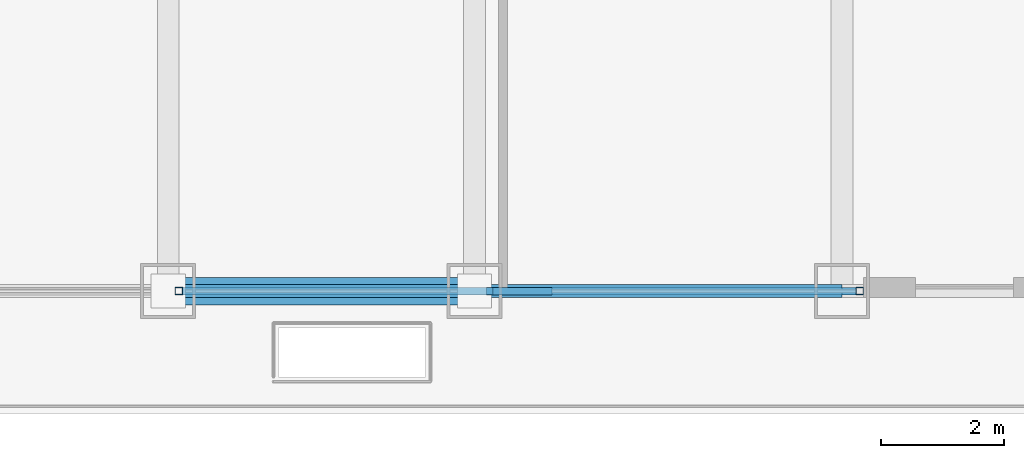
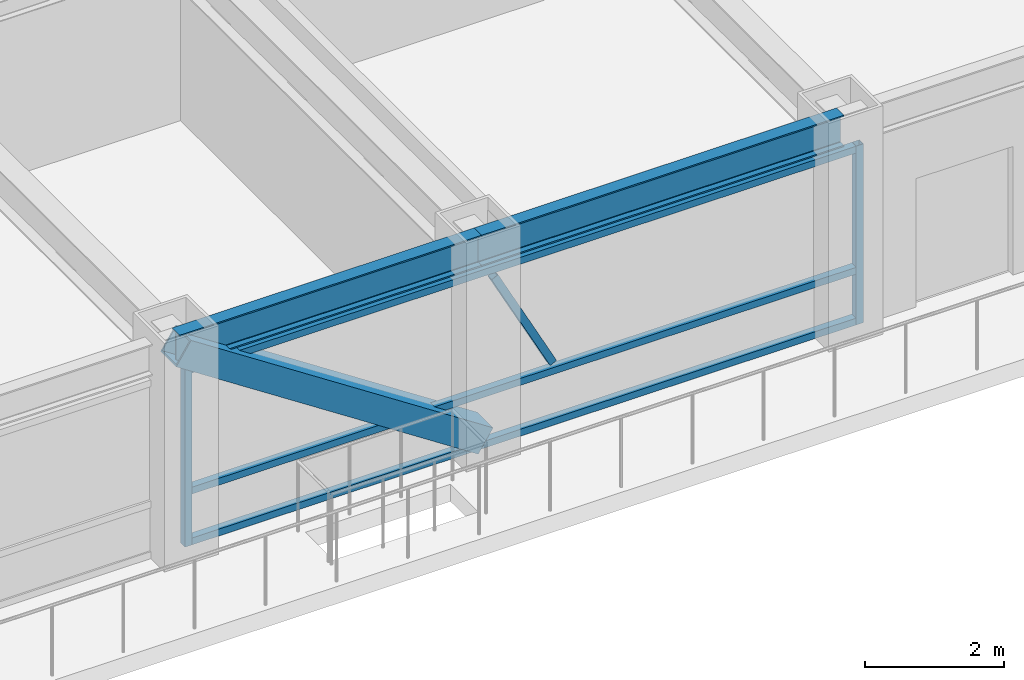
# One storey, part 4 of 32: 7 members, 2 beams, 1 element without a shape of its own.
"""IFC4 building model written with IfcOpenShell, lengths in metres."""

import ifcopenshell
import ifcopenshell.guid

model = None  # the IFC model being written
_history = None  # IfcOwnerHistory: only IFC2X3 demands one
_inside = {}  # id of a spatial element -> (the spatial element, [elements in it])
_under = {}  # id of a project, library or spatial element -> (it, [spatial elements below it])
_declared = {}  # id of a project -> (the project, [libraries it declares])
_typed = {}  # id of a type object -> (the type object, [elements of that type])
_made_of = {}  # id of a material, layer set ... -> (it, [elements and type objects made of it])


def new_model(schema):
    """Start an empty IFC model of exactly this schema.

    Asked for "IFC4X3", IfcOpenShell would pick the latest addendum, in which some entities
    have other attributes; the version numbers below select the first issue.
    IFC2X3 requires an IfcOwnerHistory on every rooted entity: one is made here for all.
    """
    global model, _history
    if schema == "IFC4X3":
        model = ifcopenshell.file(schema_version=(4, 3, 0, 0))
    else:
        model = ifcopenshell.file(schema=schema)
    _inside.clear()
    _under.clear()
    _declared.clear()
    _typed.clear()
    _made_of.clear()
    _history = None
    if model.schema == "IFC2X3":
        org = make("IfcOrganization", Name="unknown")
        user = make(
            "IfcPersonAndOrganization",
            ThePerson=make("IfcPerson", FamilyName="unknown"),
            TheOrganization=org,
        )
        app = make(
            "IfcApplication",
            ApplicationDeveloper=org,
            Version="unknown",
            ApplicationFullName="unknown",
            ApplicationIdentifier="unknown",
        )
        _history = make(
            "IfcOwnerHistory",
            OwningUser=user,
            OwningApplication=app,
            ChangeAction="ADDED",
            CreationDate=0,
        )
    return model


def make(cls, **values):
    """One entity of the class cls with the attributes given. An attribute that is None is left unset."""
    return model.create_entity(
        cls, **{name: value for name, value in values.items() if value is not None}
    )


def rooted(cls, **values):
    """An entity with a GlobalId (a new one), such as an element, a storey or a relation."""
    return make(cls, GlobalId=ifcopenshell.guid.new(), OwnerHistory=_history, **values)


def si_unit(unit_type, name, prefix=None):
    """IfcSIUnit, for example si_unit("LENGTHUNIT", "METRE", prefix="MILLI")."""
    return make("IfcSIUnit", UnitType=unit_type, Prefix=prefix, Name=name)


def assignment(units):
    """IfcUnitAssignment: the units of a project."""
    return None if units is None else make("IfcUnitAssignment", Units=units)


def point(xyz):
    """IfcCartesianPoint."""
    return None if xyz is None else make("IfcCartesianPoint", Coordinates=xyz)


def direction(xyz):
    """IfcDirection."""
    return None if xyz is None else make("IfcDirection", DirectionRatios=xyz)


def frame(location, z_axis=None, x_axis=None):
    """IfcAxis2Placement3D, a coordinate frame: its origin and axes. An axis left out is left unset."""
    return make(
        "IfcAxis2Placement3D",
        Location=point(location),
        Axis=direction(z_axis),
        RefDirection=direction(x_axis),
    )


def frame_2d(location, x_axis=None):
    """IfcAxis2Placement2D, a coordinate frame in the plane: its origin and x axis."""
    return make(
        "IfcAxis2Placement2D", Location=point(location), RefDirection=direction(x_axis)
    )


def origin():
    """The frame at (0, 0, 0) with its axes left unset."""
    return frame((0.0, 0.0, 0.0))


def origin_2d():
    """The frame at (0, 0) in the plane with its x axis left unset."""
    return frame_2d((0.0, 0.0))


def place(relative_to, where):
    """IfcLocalPlacement: puts the frame where relative to a parent placement (None: the world)."""
    return make(
        "IfcLocalPlacement", PlacementRelTo=relative_to, RelativePlacement=where
    )


def context(
    kind, dimensions, precision=None, world=None, true_north=None, identifier=None
):
    """IfcGeometricRepresentationContext, for example the 3D "Model" context."""
    return make(
        "IfcGeometricRepresentationContext",
        ContextIdentifier=identifier,
        ContextType=kind,
        CoordinateSpaceDimension=dimensions,
        Precision=precision,
        WorldCoordinateSystem=world,
        TrueNorth=true_north,
    )


def subcontext(parent, identifier, kind, view, scale=None):
    """IfcGeometricRepresentationSubContext, for example "Body" below "Model"."""
    return make(
        "IfcGeometricRepresentationSubContext",
        ContextIdentifier=identifier,
        ContextType=kind,
        ParentContext=parent,
        TargetScale=scale,
        TargetView=view,
    )


def project(units=None, contexts=None):
    """IfcProject with its units and contexts."""
    return rooted(
        "IfcProject",
        Name="project",
        RepresentationContexts=contexts,
        UnitsInContext=assignment(units),
    )


def spatial(cls, under=None, at=None, **own):
    """A site, building, storey or space (cls), placed at a placement, below another one or the project."""
    s = rooted(cls, ObjectPlacement=at, **own)
    if under is not None:
        _under.setdefault(under.id(), (under, []))[1].append(s)
    return s


def profile(cls, at=None, kind="AREA", **sizes):
    """A parametric profile (cls). Its sizes go by their IFC names, for example OverallWidth=200.0."""
    return make(cls, ProfileType=kind, Position=at, **sizes)


def hollow_rectangle(**sizes):
    """IfcRectangleHollowProfileDef."""
    return profile("IfcRectangleHollowProfileDef", **sizes)


def i_section(**sizes):
    """IfcIShapeProfileDef."""
    return profile("IfcIShapeProfileDef", **sizes)


def extrude(swept, where, along, depth):
    """IfcExtrudedAreaSolid: the profile swept, set in the frame where, extruded along a direction by depth."""
    return make(
        "IfcExtrudedAreaSolid",
        SweptArea=swept,
        Position=where,
        ExtrudedDirection=direction(along),
        Depth=depth,
    )


def shape(context_of_items, identifier, shape_type, items):
    """IfcShapeRepresentation: the items that make up one representation, for example the "Body"."""
    return make(
        "IfcShapeRepresentation",
        ContextOfItems=context_of_items,
        RepresentationIdentifier=identifier,
        RepresentationType=shape_type,
        Items=items,
    )


def source(mapping_origin, context_of_items, identifier, shape_type, items):
    """IfcRepresentationMap: a shape defined once, which mapped items show again and again."""
    return make(
        "IfcRepresentationMap",
        MappingOrigin=mapping_origin,
        MappedRepresentation=shape(context_of_items, identifier, shape_type, items),
    )


def transform(
    local_origin,
    x_axis=None,
    y_axis=None,
    z_axis=None,
    scale=None,
    scale2=None,
    scale3=None,
    uniform=True,
):
    """IfcCartesianTransformationOperator3D, or its non-uniform kind. x_axis, y_axis, z_axis: its Axis1, 2, 3."""
    if uniform:
        return make(
            "IfcCartesianTransformationOperator3D",
            Axis1=direction(x_axis),
            Axis2=direction(y_axis),
            LocalOrigin=point(local_origin),
            Scale=scale,
            Axis3=direction(z_axis),
        )
    return make(
        "IfcCartesianTransformationOperator3DnonUniform",
        Axis1=direction(x_axis),
        Axis2=direction(y_axis),
        LocalOrigin=point(local_origin),
        Scale=scale,
        Axis3=direction(z_axis),
        Scale2=scale2,
        Scale3=scale3,
    )


def mapped(mapping_source, mapping_target):
    """IfcMappedItem: shows the shape of a source again, moved by a transform."""
    return make(
        "IfcMappedItem", MappingSource=mapping_source, MappingTarget=mapping_target
    )


def material(Name=None, Category=None):
    """IfcMaterial."""
    return make("IfcMaterial", Name=Name, Category=Category)


def material_profile(
    of_material, cross_section, Name=None, Category=None, Priority=None
):
    """IfcMaterialProfile: a cross section and its material."""
    return make(
        "IfcMaterialProfile",
        Name=Name,
        Material=of_material,
        Profile=cross_section,
        Priority=Priority,
        Category=Category,
    )


def profile_set(profiles, Name=None, composite=None):
    """IfcMaterialProfileSet."""
    return make(
        "IfcMaterialProfileSet",
        Name=Name,
        MaterialProfiles=profiles,
        CompositeProfile=composite,
    )


def made_of(thing, what):
    """Note that an element or type object is made of a material, layer set ...; save() writes the relation."""
    if what is not None:
        _made_of.setdefault(what.id(), (what, []))[1].append(thing)
    return thing


def type_object(cls, material=None, **own):
    """A type object (cls), such as IfcWallType, which elements share."""
    return made_of(rooted(cls, **own), material)


def element(
    cls,
    number,
    at=None,
    inside=None,
    cuts=None,
    type_object=None,
    material=None,
    context=None,
    identifier="Body",
    shape_type=None,
    held_by="IfcProductDefinitionShape",
    body=None,
    shapes=None,
    **own,
):
    """One element of the class cls, such as IfcWall. Its Tag is "e" and its number.

    at: its placement. inside: the storey or other place that contains it. cuts: it is an
    opening in that element (IfcRelVoidsElement). A single representation is given by context,
    identifier, shape_type and body (its items); several are given by shapes. held_by: the class
    of the entity that holds the representations. save() writes the other relations.
    """
    e = rooted(cls, Tag="e%d" % number, ObjectPlacement=at, **own)
    if body is not None:
        shapes = [shape(context, identifier, shape_type, body)]
    if shapes is not None:
        e.Representation = make(held_by, Representations=shapes)
    if inside is not None:
        _inside.setdefault(inside.id(), (inside, []))[1].append(e)
    if cuts is not None:
        rooted(
            "IfcRelVoidsElement", RelatingBuildingElement=cuts, RelatedOpeningElement=e
        )
    if type_object is not None:
        _typed.setdefault(type_object.id(), (type_object, []))[1].append(e)
    return made_of(e, material)


def aggregate(whole, parts):
    """IfcRelAggregates: a whole, such as a stair, and the parts it consists of."""
    return rooted("IfcRelAggregates", RelatingObject=whole, RelatedObjects=parts)


def save(model, path):
    """Write the relations noted so far, then the file.

    IfcRelAggregates (storeys below a building ...), IfcRelContainedInSpatialStructure (elements
    in a storey), IfcRelDefinesByType, IfcRelAssociatesMaterial and IfcRelDeclares: one each for
    every whole, place, type object, material and project.
    """
    for whole, parts in _under.values():
        aggregate(whole, parts)
    for where, things in _inside.values():
        rooted(
            "IfcRelContainedInSpatialStructure",
            RelatedElements=things,
            RelatingStructure=where,
        )
    for kind, things in _typed.values():
        rooted("IfcRelDefinesByType", RelatedObjects=things, RelatingType=kind)
    for what, things in _made_of.values():
        rooted("IfcRelAssociatesMaterial", RelatedObjects=things, RelatingMaterial=what)
    for by, libraries in _declared.values():
        rooted("IfcRelDeclares", RelatingContext=by, RelatedDefinitions=libraries)
    model.write(path)


model = new_model("IFC4")

# Units and contexts
model_context = context("Model", 3, precision=1e-05, world=origin(), true_north=direction((0.0, 1.0)))
body_context = subcontext(model_context, "Body", "Model", "MODEL_VIEW")
ifc_project = project(units=[si_unit("LENGTHUNIT", "METRE"), si_unit("AREAUNIT", "SQUARE_METRE"), si_unit("VOLUMEUNIT", "CUBIC_METRE"), si_unit("PLANEANGLEUNIT", "RADIAN"), si_unit("MASSUNIT", "GRAM", prefix="KILO")], contexts=[model_context])

# Site, building, storey
site_placement = place(None, origin())
site = spatial("IfcSite", under=ifc_project, at=site_placement, CompositionType="ELEMENT")
building_placement = place(site_placement, origin())
building = spatial("IfcBuilding", under=site, at=building_placement, Name="Khorayat Bourse Tower", CompositionType="ELEMENT")
storey_placement = place(building_placement, frame((0.0, 0.0, 273.5)))
storey = spatial("IfcBuildingStorey", under=building, at=storey_placement, Name="L64", CompositionType="ELEMENT", Elevation=273.5)

# Member
ifc_material_1 = material(Name="Steel EN 10025-4 S460M", Category="steel")
ifc_material_profile_1 = material_profile(ifc_material_1, hollow_rectangle(XDim=0.449951171875, YDim=0.449951171875, WallThickness=0.02490234375, at=origin_2d()), Name="HSS 450x450x25")
ifc_profile_set_1 = profile_set([ifc_material_profile_1], Name="Steel EN 10025-4 S460M")
member_type_1 = type_object("IfcMemberType", Name="MBR-TUBE-450", PredefinedType="BRACE", material=ifc_profile_set_1)
shared_shape_1 = source(origin(), body_context, "Body", "SweptSolid", [
    extrude(hollow_rectangle(XDim=0.449951171875, YDim=0.449951171875, WallThickness=0.02490234375, at=origin_2d()), origin(), (0.0, 0.0, 1.0), 5.979736328125),
])
member_1_placement = place(storey_placement, frame((-11.0, -28.0, 3.530029296875), z_axis=(0.836141536525, 0.0, -0.548513747227), x_axis=(0.0, 1.0, 0.0)))
element("IfcMember", 1, at=member_1_placement, inside=storey, type_object=member_type_1, Name="L64 Perimeter Tube Brace 01", PredefinedType="BRACE", context=body_context, shape_type="MappedRepresentation", body=[
    mapped(shared_shape_1, transform((0.0, 0.0, 0.0), scale=1.0)),
])

# Beams
ifc_material_2 = material(Name="Steel ASTM A992 Grade 50", Category="steel")
ifc_material_profile_2 = material_profile(ifc_material_2, i_section(OverallWidth=0.214111328125, OverallDepth=0.549072265625, WebThickness=0.0146484375, FlangeThickness=0.023681640625, FilletRadius=0.013916015625, at=origin_2d()), Name="W530X138")
ifc_profile_set_2 = profile_set([ifc_material_profile_2], Name="Steel ASTM A992 Grade 50")
beam_type = type_object("IfcBeamType", Name="BM-SPAN-530", PredefinedType="SPANDREL", material=ifc_profile_set_2)
shared_shape_2 = source(origin(), body_context, "Body", "SweptSolid", [
    extrude(i_section(OverallWidth=0.214111328125, OverallDepth=0.549072265625, WebThickness=0.0146484375, FlangeThickness=0.023681640625, FilletRadius=0.013916015625, at=origin_2d()), origin(), (0.0, 0.0, 1.0), 5.0),
])
beam_1_placement = place(storey_placement, frame((-11.0, -28.0, 3.505615234375), z_axis=(1.0, 0.0, 0.0), x_axis=(0.0, 1.0, 0.0)))
element("IfcBeam", 2, at=beam_1_placement, inside=storey, type_object=beam_type, Name="L64 BM-SPAN-530 BM-L64-SPN-026", PredefinedType="SPANDREL", context=body_context, shape_type="MappedRepresentation", body=[
    mapped(shared_shape_2, transform((0.0, 0.0, 0.0), scale=1.0)),
])
shared_shape_3 = source(origin(), body_context, "Body", "SweptSolid", [
    extrude(i_section(OverallWidth=0.214111328125, OverallDepth=0.549072265625, WebThickness=0.0146484375, FlangeThickness=0.023681640625, FilletRadius=0.013916015625, at=origin_2d()), origin(), (0.0, 0.0, 1.0), 6.0),
])
beam_2_placement = place(storey_placement, frame((-6.0, -28.0, 3.505615234375), z_axis=(1.0, 0.0, 0.0), x_axis=(0.0, 1.0, 0.0)))
element("IfcBeam", 3, at=beam_2_placement, inside=storey, type_object=beam_type, Name="L64 BM-SPAN-530 BM-L64-SPN-027", PredefinedType="SPANDREL", context=body_context, shape_type="MappedRepresentation", body=[
    mapped(shared_shape_3, transform((0.0, 0.0, 0.0), scale=1.0)),
])

# Curtain wall, members
ifc_material_3 = material(Name="Aluminium EN AW-6063 T6", Category="aluminium")
curtain_wall_type = type_object("IfcCurtainWallType", Name="CW-SYS-04", PredefinedType="NOTDEFINED", material=ifc_material_3)
curtain_wall_placement = place(storey_placement, origin())
curtain_wall = element("IfcCurtainWall", 4, at=curtain_wall_placement, inside=storey, type_object=curtain_wall_type, Name="L64 Curtain Wall CW-L64-S1", PredefinedType="NOTDEFINED")
ifc_material_profile_3 = material_profile(ifc_material_3, hollow_rectangle(XDim=0.1201171875, YDim=0.1201171875, WallThickness=0.0048828125, at=origin_2d()), Name="ALU 120x120x5")
ifc_profile_set_3 = profile_set([ifc_material_profile_3], Name="Aluminium EN AW-6063 T6")
member_type_2 = type_object("IfcMemberType", Name="CWM-VERT-120", PredefinedType="MULLION", material=ifc_profile_set_3)
shared_shape_4 = source(origin(), body_context, "Body", "SweptSolid", [
    extrude(hollow_rectangle(XDim=0.1201171875, YDim=0.1201171875, WallThickness=0.0048828125, at=origin_2d()), origin(), (0.0, 0.0, 1.0), 3.1298828125),
])
member_2_placement = place(storey_placement, frame((-10.824951171875, -28.0, 0.0), z_axis=(0.0, 0.0, 1.0), x_axis=(0.0, 1.0, 0.0)))
member_2 = element("IfcMember", 5, at=member_2_placement, type_object=member_type_2, Name="CW-L64-S1 Vertical Mullion 2", PredefinedType="MULLION", context=body_context, shape_type="MappedRepresentation", body=[
    mapped(shared_shape_4, transform((0.0, 0.0, 0.0), scale=1.0)),
])
member_3_placement = place(storey_placement, frame((0.2900390625, -28.0, 0.0), z_axis=(0.0, 0.0, 1.0), x_axis=(0.0, 1.0, 0.0)))
member_3 = element("IfcMember", 6, at=member_3_placement, type_object=member_type_2, Name="CW-L64-S1 Vertical Mullion 3", PredefinedType="MULLION", context=body_context, shape_type="MappedRepresentation", body=[
    mapped(shared_shape_4, transform((0.0, 0.0, 0.0), scale=1.0)),
])
ifc_material_profile_4 = material_profile(ifc_material_3, hollow_rectangle(XDim=0.1201171875, YDim=0.1201171875, WallThickness=0.0048828125, at=origin_2d()), Name="ALU 120x120x5")
ifc_profile_set_4 = profile_set([ifc_material_profile_4], Name="Aluminium EN AW-6063 T6")
member_type_3 = type_object("IfcMemberType", Name="CWT-HORZ-120", PredefinedType="USERDEFINED", material=ifc_profile_set_4)
shared_shape_5 = source(origin(), body_context, "Body", "SweptSolid", [
    extrude(hollow_rectangle(XDim=0.1201171875, YDim=0.1201171875, WallThickness=0.0048828125, at=origin_2d()), origin(), (0.0, 0.0, 1.0), 10.994873046875),
])
member_4_placement = place(storey_placement, frame((-10.764892578125, -28.0, 0.06005859375), z_axis=(1.0, 0.0, 0.0), x_axis=(0.0, 1.0, 0.0)))
member_4 = element("IfcMember", 7, at=member_4_placement, type_object=member_type_3, Name="CW-L64-S1 Horizontal Transom 2-1", ObjectType="TRANSOM", PredefinedType="USERDEFINED", context=body_context, shape_type="MappedRepresentation", body=[
    mapped(shared_shape_5, transform((0.0, 0.0, 0.0), scale=1.0)),
])
member_5_placement = place(storey_placement, frame((-10.764892578125, -28.0, 0.949951171875), z_axis=(1.0, 0.0, 0.0), x_axis=(0.0, 1.0, 0.0)))
member_5 = element("IfcMember", 8, at=member_5_placement, type_object=member_type_3, Name="CW-L64-S1 Horizontal Transom 2-2", ObjectType="TRANSOM", PredefinedType="USERDEFINED", context=body_context, shape_type="MappedRepresentation", body=[
    mapped(shared_shape_5, transform((0.0, 0.0, 0.0), scale=1.0)),
])
member_6_placement = place(storey_placement, frame((-10.764892578125, -28.0, 3.070068359375), z_axis=(1.0, 0.0, 0.0), x_axis=(0.0, 1.0, 0.0)))
member_6 = element("IfcMember", 9, at=member_6_placement, type_object=member_type_3, Name="CW-L64-S1 Horizontal Transom 2-3", ObjectType="TRANSOM", PredefinedType="USERDEFINED", context=body_context, shape_type="MappedRepresentation", body=[
    mapped(shared_shape_5, transform((0.0, 0.0, 0.0), scale=1.0)),
])
ifc_material_profile_5 = material_profile(ifc_material_3, hollow_rectangle(XDim=0.1201171875, YDim=0.1201171875, WallThickness=0.0048828125, at=origin_2d()), Name="ALU 120x120x5")
ifc_profile_set_5 = profile_set([ifc_material_profile_5], Name="Aluminium EN AW-6063 T6")
member_type_4 = type_object("IfcMemberType", Name="CWM-DIAG-120", PredefinedType="MULLION", material=ifc_profile_set_5)
shared_shape_6 = source(origin(), body_context, "Body", "SweptSolid", [
    extrude(hollow_rectangle(XDim=0.1201171875, YDim=0.1201171875, WallThickness=0.0048828125, at=origin_2d()), origin(), (0.0, 0.0, 1.0), 2.0791015625),
])
member_7_placement = place(storey_placement, frame((-4.783203125, -28.0, 1.090087890625), z_axis=(-0.465809344892, 0.0, 0.884885107916), x_axis=(0.0, -1.0, 0.0)))
member_7 = element("IfcMember", 10, at=member_7_placement, type_object=member_type_4, Name="CW-L64-S1 Faceted Diagonal Mullion 2", PredefinedType="MULLION", context=body_context, shape_type="MappedRepresentation", body=[
    mapped(shared_shape_6, transform((0.0, 0.0, 0.0), scale=1.0)),
])
aggregate(curtain_wall, [member_2, member_3, member_4, member_5, member_6, member_7])

save(model, "model.ifc")
